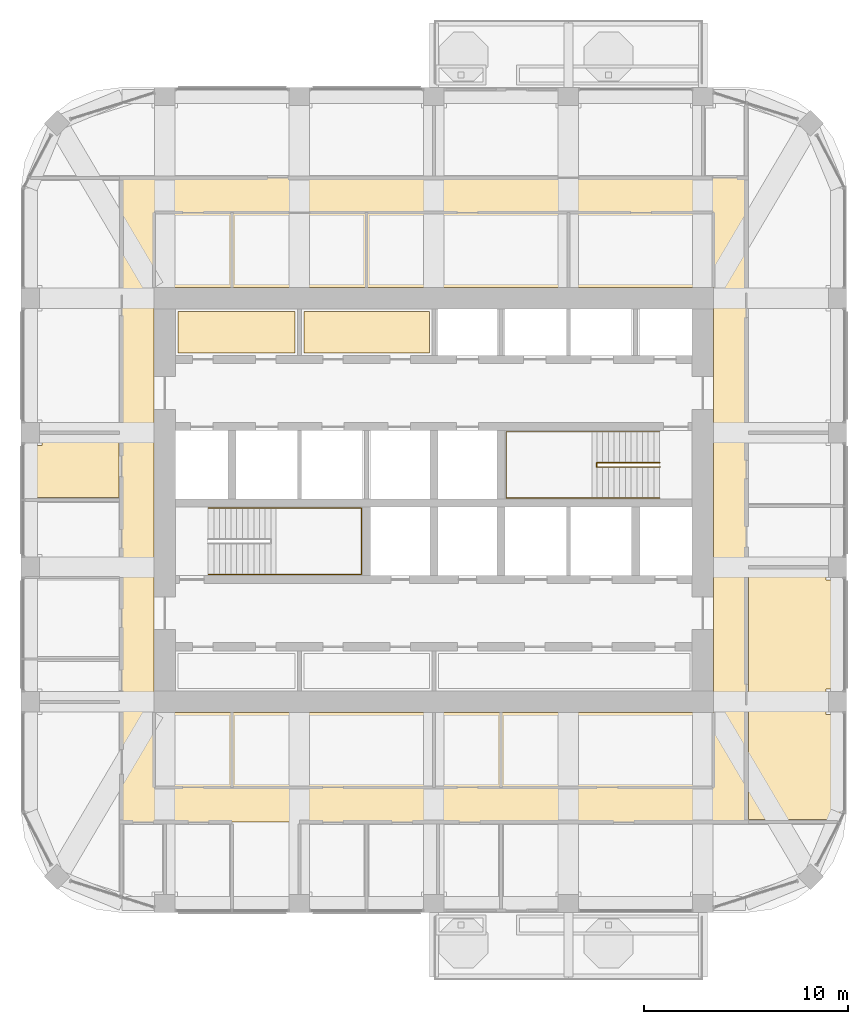
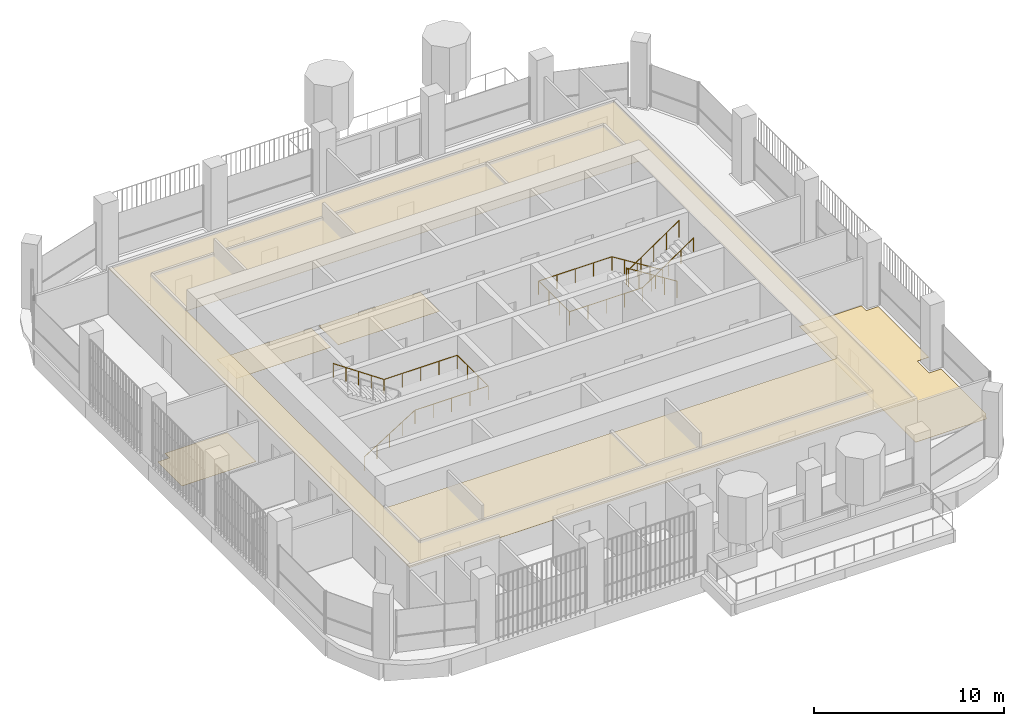
# One storey, part 19 of 21: 5 coverings, 3 railings.
"""IFC4 building model written with IfcOpenShell, lengths in metres."""

from ifc_helpers import new_model, si_unit, direction, frame, origin, place, context, subcontext, project, spatial, polyline, outline, extrude, material, layer, layer_set, type_object, element, save


model = new_model("IFC4")

# Units and contexts
model_context = context("Model", 3, precision=1e-05, world=origin(), true_north=direction((0.0, 1.0)))
body_context = subcontext(model_context, "Body", "Model", "MODEL_VIEW")
ifc_project = project(units=[si_unit("LENGTHUNIT", "METRE"), si_unit("AREAUNIT", "SQUARE_METRE"), si_unit("VOLUMEUNIT", "CUBIC_METRE"), si_unit("PLANEANGLEUNIT", "RADIAN"), si_unit("MASSUNIT", "GRAM", prefix="KILO")], contexts=[model_context])

# Site, building, storey
site_placement = place(None, origin())
site = spatial("IfcSite", under=ifc_project, at=site_placement, CompositionType="ELEMENT")
building_placement = place(site_placement, origin())
building = spatial("IfcBuilding", under=site, at=building_placement, Name="Cobogo Forest Laboratory Tower", CompositionType="ELEMENT")
storey_placement = place(building_placement, frame((0.0, 0.0, 258.60009765625)))
storey = spatial("IfcBuildingStorey", under=building, at=storey_placement, Name="L59", CompositionType="ELEMENT", Elevation=258.60009765625)

# Coverings
ifc_material_1 = material(Name="Mineral fibre ceiling tile", Category="ceiling")
ifc_layer_1 = layer(ifc_material_1, 0.02001953125)
ifc_layer_set_1 = layer_set([ifc_layer_1], Name="CL1 suspended ceiling")
covering_type_1 = type_object("IfcCoveringType", Name="CL1 suspended ceiling", PredefinedType="CEILING", material=ifc_layer_set_1)
covering_1_placement = place(storey_placement, frame((0.0, 0.0, 2.7998046875)))
element("IfcCovering", 1, at=covering_1_placement, inside=storey, type_object=covering_type_1, Name="Corridor ceiling L59", PredefinedType="CEILING", context=body_context, shape_type="SweptSolid", body=[
    extrude(outline(polyline([(11.074951171875, 7.300048828125), (11.074951171875, 38.89990234375), (41.72509765625, 38.89990234375), (41.72509765625, 7.300048828125), (11.074951171875, 7.300048828125)]), holes=[polyline([(40.125, 33.52490234375), (12.675048828125, 33.52490234375), (12.675048828125, 12.675048828125), (40.125, 12.675048828125), (40.125, 33.52490234375)])]), origin(), (0.0, 0.0, 1.0), 0.02001953125),
])
ifc_material_2 = material(Name="Carpet tile on raised access floor", Category="flooring")
ifc_layer_2 = layer(ifc_material_2, 0.008056640625)
ifc_layer_set_2 = layer_set([ifc_layer_2], Name="CT1 carpet tile floor 8")
covering_type_2 = type_object("IfcCoveringType", Name="CT1 carpet tile floor 8", PredefinedType="FLOORING", material=ifc_layer_set_2)
covering_2_placement = place(storey_placement, origin())
element("IfcCovering", 2, at=covering_2_placement, inside=storey, type_object=covering_type_2, Name="Carpet floor L59-15", PredefinedType="FLOORING", context=body_context, shape_type="SweptSolid", body=[
    extrude(outline(polyline([(41.844970703125, 19.679931640625), (45.6298828125, 19.679931640625), (45.6298828125, 19.179931640625), (46.35009765625, 19.179931640625), (46.35009765625, 13.820068359375), (45.6298828125, 13.820068359375), (45.6298828125, 12.580078125), (46.35009765625, 12.580078125), (46.35009765625, 7.84912109375), (46.125, 7.419921875), (41.844970703125, 7.419921875), (41.844970703125, 19.679931640625)])), origin(), (0.0, 0.0, 1.0), 0.0078125),
])
covering_3_placement = place(storey_placement, origin())
element("IfcCovering", 3, at=covering_3_placement, inside=storey, type_object=covering_type_2, Name="Carpet floor L59-26", PredefinedType="FLOORING", context=body_context, shape_type="SweptSolid", body=[
    extrude(outline(polyline([(10.955078125, 23.219970703125), (6.449951171875, 23.219970703125), (6.449951171875, 25.780029296875), (7.169921875, 25.780029296875), (7.169921875, 26.280029296875), (10.955078125, 26.280029296875), (10.955078125, 23.219970703125)])), origin(), (0.0, 0.0, 1.0), 0.0078125),
])
covering_4_placement = place(storey_placement, origin())
element("IfcCovering", 4, at=covering_4_placement, inside=storey, type_object=covering_type_2, Name="Carpet floor L59-39", PredefinedType="FLOORING", context=body_context, shape_type="SweptSolid", body=[
    extrude(outline(polyline([(26.179931640625, 30.320068359375), (20.02001953125, 30.320068359375), (20.02001953125, 32.35498046875), (26.179931640625, 32.35498046875), (26.179931640625, 30.320068359375)])), origin(), (0.0, 0.0, 1.0), 0.0078125),
])

# Railings
ifc_material_3 = material(Name="Steel balustrade", Category="steel")
railing_type_1 = type_object("IfcRailingType", Name="GR stair guard 1100", PredefinedType="GUARDRAIL", material=ifc_material_3)
railing_1_placement = place(storey_placement, frame((37.47509765625, 24.929931640625, 0.1748046875)))
element("IfcRailing", 5, at=railing_1_placement, inside=storey, type_object=railing_type_1, Name="Stair guard ST2 L59", PredefinedType="GUARDRAIL", context=body_context, shape_type="SweptSolid", body=[
    extrude(outline(polyline([(0.022216796875, 0.00927734375), (0.00927734375, 0.022216796875), (-0.00927734375, 0.022216796875), (-0.022216796875, 0.00927734375), (-0.022216796875, -0.00927734375), (-0.00927734375, -0.022216796875), (0.00927734375, -0.022216796875), (0.022216796875, -0.00927734375), (0.022216796875, 0.00927734375)])), frame((0.0, 0.0, 1.077880859375), z_axis=(-0.847998304005, 0.0, 0.529998940003), x_axis=(0.0, -1.0, 0.0)), (0.0, 0.0, 1.0), 3.632080078125),
    extrude(outline(polyline([(0.022216796875, 0.00927734375), (0.00927734375, 0.022216796875), (-0.00927734375, 0.022216796875), (-0.022216796875, 0.00927734375), (-0.022216796875, -0.00927734375), (-0.00927734375, -0.022216796875), (0.00927734375, -0.022216796875), (0.022216796875, -0.00927734375), (0.022216796875, 0.00927734375)])), frame((-3.080078125, 0.0, 3.0029296875), z_axis=(0.0, -1.0, 0.0), x_axis=(1.0, 0.0, 0.0)), (0.0, 0.0, 1.0), 0.2099609375),
    extrude(outline(polyline([(0.022216796875, 0.00927734375), (0.00927734375, 0.022216796875), (-0.00927734375, 0.022216796875), (-0.022216796875, 0.00927734375), (-0.022216796875, -0.00927734375), (-0.00927734375, -0.022216796875), (0.00927734375, -0.022216796875), (0.022216796875, -0.00927734375), (0.022216796875, 0.00927734375)])), frame((-3.080078125, -0.2099609375, 3.0029296875), z_axis=(0.826221800596, 0.0, 0.563344953133), x_axis=(0.0, 1.0, 0.0)), (0.0, 0.0, 1.0), 3.72802734375),
    extrude(outline(polyline([(0.019287109375, 0.008056640625), (0.008056640625, 0.019287109375), (-0.008056640625, 0.019287109375), (-0.019287109375, 0.008056640625), (-0.019287109375, -0.008056640625), (-0.008056640625, -0.019287109375), (0.008056640625, -0.019287109375), (0.019287109375, -0.008056640625), (0.019287109375, 0.008056640625)])), origin(), (0.0, 0.0, 1.0), 1.077880859375),
    extrude(outline(polyline([(0.019287109375, 0.008056640625), (0.008056640625, 0.019287109375), (-0.008056640625, 0.019287109375), (-0.019287109375, 0.008056640625), (-0.019287109375, -0.008056640625), (-0.008056640625, -0.019287109375), (0.008056640625, -0.019287109375), (0.019287109375, -0.008056640625), (0.019287109375, 0.008056640625)])), frame((-0.77001953125, 0.0, 0.481201171875)), (0.0, 0.0, 1.0), 1.077880859375),
    extrude(outline(polyline([(0.019287109375, 0.008056640625), (0.008056640625, 0.019287109375), (-0.008056640625, 0.019287109375), (-0.019287109375, 0.008056640625), (-0.019287109375, -0.008056640625), (-0.008056640625, -0.019287109375), (0.008056640625, -0.019287109375), (0.019287109375, -0.008056640625), (0.019287109375, 0.008056640625)])), frame((-1.5400390625, 0.0, 0.96240234375)), (0.0, 0.0, 1.0), 1.077880859375),
    extrude(outline(polyline([(0.019287109375, 0.008056640625), (0.008056640625, 0.019287109375), (-0.008056640625, 0.019287109375), (-0.019287109375, 0.008056640625), (-0.019287109375, -0.008056640625), (-0.008056640625, -0.019287109375), (0.008056640625, -0.019287109375), (0.019287109375, -0.008056640625), (0.019287109375, 0.008056640625)])), frame((-2.31005859375, 0.0, 1.44384765625)), (0.0, 0.0, 1.0), 1.077880859375),
    extrude(outline(polyline([(0.019287109375, 0.008056640625), (0.008056640625, 0.019287109375), (-0.008056640625, 0.019287109375), (-0.019287109375, 0.008056640625), (-0.019287109375, -0.008056640625), (-0.008056640625, -0.019287109375), (0.008056640625, -0.019287109375), (0.019287109375, -0.008056640625), (0.019287109375, 0.008056640625)])), frame((-3.080078125, 0.0, 1.925048828125)), (0.0, 0.0, 1.0), 1.077880859375),
    extrude(outline(polyline([(0.019287109375, 0.008056640625), (0.008056640625, 0.019287109375), (-0.008056640625, 0.019287109375), (-0.019287109375, 0.008056640625), (-0.019287109375, -0.008056640625), (-0.008056640625, -0.019287109375), (0.008056640625, -0.019287109375), (0.019287109375, -0.008056640625), (0.019287109375, 0.008056640625)])), frame((-3.080078125, -0.2099609375, 1.925048828125)), (0.0, 0.0, 1.0), 1.077880859375),
    extrude(outline(polyline([(0.019287109375, 0.008056640625), (0.008056640625, 0.019287109375), (-0.008056640625, 0.019287109375), (-0.019287109375, 0.008056640625), (-0.019287109375, -0.008056640625), (-0.008056640625, -0.019287109375), (0.008056640625, -0.019287109375), (0.019287109375, -0.008056640625), (0.019287109375, 0.008056640625)])), frame((-2.31005859375, -0.2099609375, 2.4501953125)), (0.0, 0.0, 1.0), 1.077880859375),
    extrude(outline(polyline([(0.019287109375, 0.008056640625), (0.008056640625, 0.019287109375), (-0.008056640625, 0.019287109375), (-0.019287109375, 0.008056640625), (-0.019287109375, -0.008056640625), (-0.008056640625, -0.019287109375), (0.008056640625, -0.019287109375), (0.019287109375, -0.008056640625), (0.019287109375, 0.008056640625)])), frame((-1.5400390625, -0.2099609375, 2.97509765625)), (0.0, 0.0, 1.0), 1.077880859375),
    extrude(outline(polyline([(0.019287109375, 0.008056640625), (0.008056640625, 0.019287109375), (-0.008056640625, 0.019287109375), (-0.019287109375, 0.008056640625), (-0.019287109375, -0.008056640625), (-0.008056640625, -0.019287109375), (0.008056640625, -0.019287109375), (0.019287109375, -0.008056640625), (0.019287109375, 0.008056640625)])), frame((-0.77001953125, -0.2099609375, 3.5)), (0.0, 0.0, 1.0), 1.077880859375),
    extrude(outline(polyline([(0.019287109375, 0.008056640625), (0.008056640625, 0.019287109375), (-0.008056640625, 0.019287109375), (-0.019287109375, 0.008056640625), (-0.019287109375, -0.008056640625), (-0.008056640625, -0.019287109375), (0.008056640625, -0.019287109375), (0.019287109375, -0.008056640625), (0.019287109375, 0.008056640625)])), frame((0.0, -0.2099609375, 4.025146484375)), (0.0, 0.0, 1.0), 1.077880859375),
])
ifc_material_4 = material(Name="Stainless steel handrail", Category="steel")
railing_type_2 = type_object("IfcRailingType", Name="HR handrail 900", PredefinedType="HANDRAIL", material=ifc_material_4)
railing_2_placement = place(storey_placement, frame((15.324951171875, 19.449951171875, 0.1748046875)))
element("IfcRailing", 6, at=railing_2_placement, inside=storey, type_object=railing_type_2, Name="Stair handrail ST1 L59", PredefinedType="HANDRAIL", context=body_context, shape_type="SweptSolid", body=[
    extrude(outline(polyline([(0.022216796875, 0.00927734375), (0.00927734375, 0.022216796875), (-0.00927734375, 0.022216796875), (-0.022216796875, 0.00927734375), (-0.022216796875, -0.00927734375), (-0.00927734375, -0.022216796875), (0.00927734375, -0.022216796875), (0.022216796875, -0.00927734375), (0.022216796875, 0.00927734375)])), frame((0.0, 0.0, 0.877685546875), z_axis=(0.847998304005, 0.0, 0.529998940003), x_axis=(0.0, 1.0, 0.0)), (0.0, 0.0, 1.0), 3.632080078125),
    extrude(outline(polyline([(0.022216796875, 0.00927734375), (0.00927734375, 0.022216796875), (-0.00927734375, 0.022216796875), (-0.022216796875, 0.00927734375), (-0.022216796875, -0.00927734375), (-0.00927734375, -0.022216796875), (0.00927734375, -0.022216796875), (0.022216796875, -0.00927734375), (0.022216796875, 0.00927734375)])), frame((3.080078125, 0.0, 2.802734375), z_axis=(1.0, 0.0, 0.0), x_axis=(0.0, 1.0, 0.0)), (0.0, 0.0, 1.0), 4.445068359375),
    extrude(outline(polyline([(0.022216796875, 0.00927734375), (0.00927734375, 0.022216796875), (-0.00927734375, 0.022216796875), (-0.022216796875, 0.00927734375), (-0.022216796875, -0.00927734375), (-0.00927734375, -0.022216796875), (0.00927734375, -0.022216796875), (0.022216796875, -0.00927734375), (0.022216796875, 0.00927734375)])), frame((7.525146484375, 0.0, 2.802734375), z_axis=(0.0, 1.0, 0.0), x_axis=(-1.0, 0.0, 0.0)), (0.0, 0.0, 1.0), 3.25),
    extrude(outline(polyline([(0.022216796875, 0.00927734375), (0.00927734375, 0.022216796875), (-0.00927734375, 0.022216796875), (-0.022216796875, 0.00927734375), (-0.022216796875, -0.00927734375), (-0.00927734375, -0.022216796875), (0.00927734375, -0.022216796875), (0.022216796875, -0.00927734375), (0.022216796875, 0.00927734375)])), frame((7.525146484375, 3.25, 2.802734375), z_axis=(-1.0, 0.0, 0.0), x_axis=(0.0, -1.0, 0.0)), (0.0, 0.0, 1.0), 4.445068359375),
    extrude(outline(polyline([(0.022216796875, 0.00927734375), (0.00927734375, 0.022216796875), (-0.00927734375, 0.022216796875), (-0.022216796875, 0.00927734375), (-0.022216796875, -0.00927734375), (-0.00927734375, -0.022216796875), (0.00927734375, -0.022216796875), (0.022216796875, -0.00927734375), (0.022216796875, 0.00927734375)])), frame((3.080078125, 3.25, 2.802734375), z_axis=(-0.826221800596, 0.0, 0.563344953133), x_axis=(0.0, -1.0, 0.0)), (0.0, 0.0, 1.0), 3.72802734375),
    extrude(outline(polyline([(0.019287109375, 0.008056640625), (0.008056640625, 0.019287109375), (-0.008056640625, 0.019287109375), (-0.019287109375, 0.008056640625), (-0.019287109375, -0.008056640625), (-0.008056640625, -0.019287109375), (0.008056640625, -0.019287109375), (0.019287109375, -0.008056640625), (0.019287109375, 0.008056640625)])), origin(), (0.0, 0.0, 1.0), 0.877685546875),
    extrude(outline(polyline([(0.019287109375, 0.008056640625), (0.008056640625, 0.019287109375), (-0.008056640625, 0.019287109375), (-0.019287109375, 0.008056640625), (-0.019287109375, -0.008056640625), (-0.008056640625, -0.019287109375), (0.008056640625, -0.019287109375), (0.019287109375, -0.008056640625), (0.019287109375, 0.008056640625)])), frame((0.77001953125, 0.0, 0.481201171875)), (0.0, 0.0, 1.0), 0.877685546875),
    extrude(outline(polyline([(0.019287109375, 0.008056640625), (0.008056640625, 0.019287109375), (-0.008056640625, 0.019287109375), (-0.019287109375, 0.008056640625), (-0.019287109375, -0.008056640625), (-0.008056640625, -0.019287109375), (0.008056640625, -0.019287109375), (0.019287109375, -0.008056640625), (0.019287109375, 0.008056640625)])), frame((1.5400390625, 0.0, 0.96240234375)), (0.0, 0.0, 1.0), 0.877685546875),
    extrude(outline(polyline([(0.019287109375, 0.008056640625), (0.008056640625, 0.019287109375), (-0.008056640625, 0.019287109375), (-0.019287109375, 0.008056640625), (-0.019287109375, -0.008056640625), (-0.008056640625, -0.019287109375), (0.008056640625, -0.019287109375), (0.019287109375, -0.008056640625), (0.019287109375, 0.008056640625)])), frame((2.31005859375, 0.0, 1.44384765625)), (0.0, 0.0, 1.0), 0.877685546875),
    extrude(outline(polyline([(0.019287109375, 0.008056640625), (0.008056640625, 0.019287109375), (-0.008056640625, 0.019287109375), (-0.019287109375, 0.008056640625), (-0.019287109375, -0.008056640625), (-0.008056640625, -0.019287109375), (0.008056640625, -0.019287109375), (0.019287109375, -0.008056640625), (0.019287109375, 0.008056640625)])), frame((3.080078125, 0.0, 1.925048828125)), (0.0, 0.0, 1.0), 0.877685546875),
    extrude(outline(polyline([(0.019287109375, 0.008056640625), (0.008056640625, 0.019287109375), (-0.008056640625, 0.019287109375), (-0.019287109375, 0.008056640625), (-0.019287109375, -0.008056640625), (-0.008056640625, -0.019287109375), (0.008056640625, -0.019287109375), (0.019287109375, -0.008056640625), (0.019287109375, 0.008056640625)])), frame((4.19140625, 0.0, 1.925048828125)), (0.0, 0.0, 1.0), 0.877685546875),
    extrude(outline(polyline([(0.019287109375, 0.008056640625), (0.008056640625, 0.019287109375), (-0.008056640625, 0.019287109375), (-0.019287109375, 0.008056640625), (-0.019287109375, -0.008056640625), (-0.008056640625, -0.019287109375), (0.008056640625, -0.019287109375), (0.019287109375, -0.008056640625), (0.019287109375, 0.008056640625)])), frame((5.302734375, 0.0, 1.925048828125)), (0.0, 0.0, 1.0), 0.877685546875),
    extrude(outline(polyline([(0.019287109375, 0.008056640625), (0.008056640625, 0.019287109375), (-0.008056640625, 0.019287109375), (-0.019287109375, 0.008056640625), (-0.019287109375, -0.008056640625), (-0.008056640625, -0.019287109375), (0.008056640625, -0.019287109375), (0.019287109375, -0.008056640625), (0.019287109375, 0.008056640625)])), frame((6.413818359375, 0.0, 1.925048828125)), (0.0, 0.0, 1.0), 0.877685546875),
    extrude(outline(polyline([(0.019287109375, 0.008056640625), (0.008056640625, 0.019287109375), (-0.008056640625, 0.019287109375), (-0.019287109375, 0.008056640625), (-0.019287109375, -0.008056640625), (-0.008056640625, -0.019287109375), (0.008056640625, -0.019287109375), (0.019287109375, -0.008056640625), (0.019287109375, 0.008056640625)])), frame((7.525146484375, 0.0, 1.925048828125)), (0.0, 0.0, 1.0), 0.877685546875),
    extrude(outline(polyline([(0.019287109375, 0.008056640625), (0.008056640625, 0.019287109375), (-0.008056640625, 0.019287109375), (-0.019287109375, 0.008056640625), (-0.019287109375, -0.008056640625), (-0.008056640625, -0.019287109375), (0.008056640625, -0.019287109375), (0.019287109375, -0.008056640625), (0.019287109375, 0.008056640625)])), frame((7.525146484375, 1.083251953125, 1.925048828125)), (0.0, 0.0, 1.0), 0.877685546875),
    extrude(outline(polyline([(0.019287109375, 0.008056640625), (0.008056640625, 0.019287109375), (-0.008056640625, 0.019287109375), (-0.019287109375, 0.008056640625), (-0.019287109375, -0.008056640625), (-0.008056640625, -0.019287109375), (0.008056640625, -0.019287109375), (0.019287109375, -0.008056640625), (0.019287109375, 0.008056640625)])), frame((7.525146484375, 2.166748046875, 1.925048828125)), (0.0, 0.0, 1.0), 0.877685546875),
    extrude(outline(polyline([(0.019287109375, 0.008056640625), (0.008056640625, 0.019287109375), (-0.008056640625, 0.019287109375), (-0.019287109375, 0.008056640625), (-0.019287109375, -0.008056640625), (-0.008056640625, -0.019287109375), (0.008056640625, -0.019287109375), (0.019287109375, -0.008056640625), (0.019287109375, 0.008056640625)])), frame((7.525146484375, 3.25, 1.925048828125)), (0.0, 0.0, 1.0), 0.877685546875),
    extrude(outline(polyline([(0.019287109375, 0.008056640625), (0.008056640625, 0.019287109375), (-0.008056640625, 0.019287109375), (-0.019287109375, 0.008056640625), (-0.019287109375, -0.008056640625), (-0.008056640625, -0.019287109375), (0.008056640625, -0.019287109375), (0.019287109375, -0.008056640625), (0.019287109375, 0.008056640625)])), frame((6.413818359375, 3.25, 1.925048828125)), (0.0, 0.0, 1.0), 0.877685546875),
    extrude(outline(polyline([(0.019287109375, 0.008056640625), (0.008056640625, 0.019287109375), (-0.008056640625, 0.019287109375), (-0.019287109375, 0.008056640625), (-0.019287109375, -0.008056640625), (-0.008056640625, -0.019287109375), (0.008056640625, -0.019287109375), (0.019287109375, -0.008056640625), (0.019287109375, 0.008056640625)])), frame((5.302734375, 3.25, 1.925048828125)), (0.0, 0.0, 1.0), 0.877685546875),
    extrude(outline(polyline([(0.019287109375, 0.008056640625), (0.008056640625, 0.019287109375), (-0.008056640625, 0.019287109375), (-0.019287109375, 0.008056640625), (-0.019287109375, -0.008056640625), (-0.008056640625, -0.019287109375), (0.008056640625, -0.019287109375), (0.019287109375, -0.008056640625), (0.019287109375, 0.008056640625)])), frame((4.19140625, 3.25, 1.925048828125)), (0.0, 0.0, 1.0), 0.877685546875),
    extrude(outline(polyline([(0.019287109375, 0.008056640625), (0.008056640625, 0.019287109375), (-0.008056640625, 0.019287109375), (-0.019287109375, 0.008056640625), (-0.019287109375, -0.008056640625), (-0.008056640625, -0.019287109375), (0.008056640625, -0.019287109375), (0.019287109375, -0.008056640625), (0.019287109375, 0.008056640625)])), frame((3.080078125, 3.25, 1.925048828125)), (0.0, 0.0, 1.0), 0.877685546875),
    extrude(outline(polyline([(0.019287109375, 0.008056640625), (0.008056640625, 0.019287109375), (-0.008056640625, 0.019287109375), (-0.019287109375, 0.008056640625), (-0.019287109375, -0.008056640625), (-0.008056640625, -0.019287109375), (0.008056640625, -0.019287109375), (0.019287109375, -0.008056640625), (0.019287109375, 0.008056640625)])), frame((2.31005859375, 3.25, 2.4501953125)), (0.0, 0.0, 1.0), 0.877685546875),
    extrude(outline(polyline([(0.019287109375, 0.008056640625), (0.008056640625, 0.019287109375), (-0.008056640625, 0.019287109375), (-0.019287109375, 0.008056640625), (-0.019287109375, -0.008056640625), (-0.008056640625, -0.019287109375), (0.008056640625, -0.019287109375), (0.019287109375, -0.008056640625), (0.019287109375, 0.008056640625)])), frame((1.5400390625, 3.25, 2.97509765625)), (0.0, 0.0, 1.0), 0.877685546875),
    extrude(outline(polyline([(0.019287109375, 0.008056640625), (0.008056640625, 0.019287109375), (-0.008056640625, 0.019287109375), (-0.019287109375, 0.008056640625), (-0.019287109375, -0.008056640625), (-0.008056640625, -0.019287109375), (0.008056640625, -0.019287109375), (0.019287109375, -0.008056640625), (0.019287109375, 0.008056640625)])), frame((0.77001953125, 3.25, 3.5)), (0.0, 0.0, 1.0), 0.877685546875),
    extrude(outline(polyline([(0.019287109375, 0.008056640625), (0.008056640625, 0.019287109375), (-0.008056640625, 0.019287109375), (-0.019287109375, 0.008056640625), (-0.019287109375, -0.008056640625), (-0.008056640625, -0.019287109375), (0.008056640625, -0.019287109375), (0.019287109375, -0.008056640625), (0.019287109375, 0.008056640625)])), frame((0.0, 3.25, 4.025146484375)), (0.0, 0.0, 1.0), 0.877685546875),
])
railing_3_placement = place(storey_placement, frame((37.47509765625, 26.449951171875, 0.1748046875)))
element("IfcRailing", 7, at=railing_3_placement, inside=storey, type_object=railing_type_2, Name="Stair handrail ST2 L59", PredefinedType="HANDRAIL", context=body_context, shape_type="SweptSolid", body=[
    extrude(outline(polyline([(0.022216796875, 0.00927734375), (0.00927734375, 0.022216796875), (-0.00927734375, 0.022216796875), (-0.022216796875, 0.00927734375), (-0.022216796875, -0.00927734375), (-0.00927734375, -0.022216796875), (0.00927734375, -0.022216796875), (0.022216796875, -0.00927734375), (0.022216796875, 0.00927734375)])), frame((0.0, 0.0, 0.877685546875), z_axis=(-0.847998304005, 0.0, 0.529998940003), x_axis=(0.0, -1.0, 0.0)), (0.0, 0.0, 1.0), 3.632080078125),
    extrude(outline(polyline([(0.022216796875, 0.00927734375), (0.00927734375, 0.022216796875), (-0.00927734375, 0.022216796875), (-0.022216796875, 0.00927734375), (-0.022216796875, -0.00927734375), (-0.00927734375, -0.022216796875), (0.00927734375, -0.022216796875), (0.022216796875, -0.00927734375), (0.022216796875, 0.00927734375)])), frame((-3.080078125, 0.0, 2.802734375), z_axis=(-1.0, 0.0, 0.0), x_axis=(0.0, -1.0, 0.0)), (0.0, 0.0, 1.0), 4.445068359375),
    extrude(outline(polyline([(0.022216796875, 0.00927734375), (0.00927734375, 0.022216796875), (-0.00927734375, 0.022216796875), (-0.022216796875, 0.00927734375), (-0.022216796875, -0.00927734375), (-0.00927734375, -0.022216796875), (0.00927734375, -0.022216796875), (0.022216796875, -0.00927734375), (0.022216796875, 0.00927734375)])), frame((-7.525146484375, 0.0, 2.802734375), z_axis=(0.0, -1.0, 0.0), x_axis=(1.0, 0.0, 0.0)), (0.0, 0.0, 1.0), 3.25),
    extrude(outline(polyline([(0.022216796875, 0.00927734375), (0.00927734375, 0.022216796875), (-0.00927734375, 0.022216796875), (-0.022216796875, 0.00927734375), (-0.022216796875, -0.00927734375), (-0.00927734375, -0.022216796875), (0.00927734375, -0.022216796875), (0.022216796875, -0.00927734375), (0.022216796875, 0.00927734375)])), frame((-7.525146484375, -3.25, 2.802734375), z_axis=(1.0, 0.0, 0.0), x_axis=(0.0, 1.0, 0.0)), (0.0, 0.0, 1.0), 4.445068359375),
    extrude(outline(polyline([(0.022216796875, 0.00927734375), (0.00927734375, 0.022216796875), (-0.00927734375, 0.022216796875), (-0.022216796875, 0.00927734375), (-0.022216796875, -0.00927734375), (-0.00927734375, -0.022216796875), (0.00927734375, -0.022216796875), (0.022216796875, -0.00927734375), (0.022216796875, 0.00927734375)])), frame((-3.080078125, -3.25, 2.802734375), z_axis=(0.826221800596, 0.0, 0.563344953133), x_axis=(0.0, 1.0, 0.0)), (0.0, 0.0, 1.0), 3.72802734375),
    extrude(outline(polyline([(0.019287109375, 0.008056640625), (0.008056640625, 0.019287109375), (-0.008056640625, 0.019287109375), (-0.019287109375, 0.008056640625), (-0.019287109375, -0.008056640625), (-0.008056640625, -0.019287109375), (0.008056640625, -0.019287109375), (0.019287109375, -0.008056640625), (0.019287109375, 0.008056640625)])), origin(), (0.0, 0.0, 1.0), 0.877685546875),
    extrude(outline(polyline([(0.019287109375, 0.008056640625), (0.008056640625, 0.019287109375), (-0.008056640625, 0.019287109375), (-0.019287109375, 0.008056640625), (-0.019287109375, -0.008056640625), (-0.008056640625, -0.019287109375), (0.008056640625, -0.019287109375), (0.019287109375, -0.008056640625), (0.019287109375, 0.008056640625)])), frame((-0.77001953125, 0.0, 0.481201171875)), (0.0, 0.0, 1.0), 0.877685546875),
    extrude(outline(polyline([(0.019287109375, 0.008056640625), (0.008056640625, 0.019287109375), (-0.008056640625, 0.019287109375), (-0.019287109375, 0.008056640625), (-0.019287109375, -0.008056640625), (-0.008056640625, -0.019287109375), (0.008056640625, -0.019287109375), (0.019287109375, -0.008056640625), (0.019287109375, 0.008056640625)])), frame((-1.5400390625, 0.0, 0.96240234375)), (0.0, 0.0, 1.0), 0.877685546875),
    extrude(outline(polyline([(0.019287109375, 0.008056640625), (0.008056640625, 0.019287109375), (-0.008056640625, 0.019287109375), (-0.019287109375, 0.008056640625), (-0.019287109375, -0.008056640625), (-0.008056640625, -0.019287109375), (0.008056640625, -0.019287109375), (0.019287109375, -0.008056640625), (0.019287109375, 0.008056640625)])), frame((-2.31005859375, 0.0, 1.44384765625)), (0.0, 0.0, 1.0), 0.877685546875),
    extrude(outline(polyline([(0.019287109375, 0.008056640625), (0.008056640625, 0.019287109375), (-0.008056640625, 0.019287109375), (-0.019287109375, 0.008056640625), (-0.019287109375, -0.008056640625), (-0.008056640625, -0.019287109375), (0.008056640625, -0.019287109375), (0.019287109375, -0.008056640625), (0.019287109375, 0.008056640625)])), frame((-3.080078125, 0.0, 1.925048828125)), (0.0, 0.0, 1.0), 0.877685546875),
    extrude(outline(polyline([(0.019287109375, 0.008056640625), (0.008056640625, 0.019287109375), (-0.008056640625, 0.019287109375), (-0.019287109375, 0.008056640625), (-0.019287109375, -0.008056640625), (-0.008056640625, -0.019287109375), (0.008056640625, -0.019287109375), (0.019287109375, -0.008056640625), (0.019287109375, 0.008056640625)])), frame((-4.19140625, 0.0, 1.925048828125)), (0.0, 0.0, 1.0), 0.877685546875),
    extrude(outline(polyline([(0.019287109375, 0.008056640625), (0.008056640625, 0.019287109375), (-0.008056640625, 0.019287109375), (-0.019287109375, 0.008056640625), (-0.019287109375, -0.008056640625), (-0.008056640625, -0.019287109375), (0.008056640625, -0.019287109375), (0.019287109375, -0.008056640625), (0.019287109375, 0.008056640625)])), frame((-5.302734375, 0.0, 1.925048828125)), (0.0, 0.0, 1.0), 0.877685546875),
    extrude(outline(polyline([(0.019287109375, 0.008056640625), (0.008056640625, 0.019287109375), (-0.008056640625, 0.019287109375), (-0.019287109375, 0.008056640625), (-0.019287109375, -0.008056640625), (-0.008056640625, -0.019287109375), (0.008056640625, -0.019287109375), (0.019287109375, -0.008056640625), (0.019287109375, 0.008056640625)])), frame((-6.413818359375, 0.0, 1.925048828125)), (0.0, 0.0, 1.0), 0.877685546875),
    extrude(outline(polyline([(0.019287109375, 0.008056640625), (0.008056640625, 0.019287109375), (-0.008056640625, 0.019287109375), (-0.019287109375, 0.008056640625), (-0.019287109375, -0.008056640625), (-0.008056640625, -0.019287109375), (0.008056640625, -0.019287109375), (0.019287109375, -0.008056640625), (0.019287109375, 0.008056640625)])), frame((-7.525146484375, 0.0, 1.925048828125)), (0.0, 0.0, 1.0), 0.877685546875),
    extrude(outline(polyline([(0.019287109375, 0.008056640625), (0.008056640625, 0.019287109375), (-0.008056640625, 0.019287109375), (-0.019287109375, 0.008056640625), (-0.019287109375, -0.008056640625), (-0.008056640625, -0.019287109375), (0.008056640625, -0.019287109375), (0.019287109375, -0.008056640625), (0.019287109375, 0.008056640625)])), frame((-7.525146484375, -1.083251953125, 1.925048828125)), (0.0, 0.0, 1.0), 0.877685546875),
    extrude(outline(polyline([(0.019287109375, 0.008056640625), (0.008056640625, 0.019287109375), (-0.008056640625, 0.019287109375), (-0.019287109375, 0.008056640625), (-0.019287109375, -0.008056640625), (-0.008056640625, -0.019287109375), (0.008056640625, -0.019287109375), (0.019287109375, -0.008056640625), (0.019287109375, 0.008056640625)])), frame((-7.525146484375, -2.166748046875, 1.925048828125)), (0.0, 0.0, 1.0), 0.877685546875),
    extrude(outline(polyline([(0.019287109375, 0.008056640625), (0.008056640625, 0.019287109375), (-0.008056640625, 0.019287109375), (-0.019287109375, 0.008056640625), (-0.019287109375, -0.008056640625), (-0.008056640625, -0.019287109375), (0.008056640625, -0.019287109375), (0.019287109375, -0.008056640625), (0.019287109375, 0.008056640625)])), frame((-7.525146484375, -3.25, 1.925048828125)), (0.0, 0.0, 1.0), 0.877685546875),
    extrude(outline(polyline([(0.019287109375, 0.008056640625), (0.008056640625, 0.019287109375), (-0.008056640625, 0.019287109375), (-0.019287109375, 0.008056640625), (-0.019287109375, -0.008056640625), (-0.008056640625, -0.019287109375), (0.008056640625, -0.019287109375), (0.019287109375, -0.008056640625), (0.019287109375, 0.008056640625)])), frame((-6.413818359375, -3.25, 1.925048828125)), (0.0, 0.0, 1.0), 0.877685546875),
    extrude(outline(polyline([(0.019287109375, 0.008056640625), (0.008056640625, 0.019287109375), (-0.008056640625, 0.019287109375), (-0.019287109375, 0.008056640625), (-0.019287109375, -0.008056640625), (-0.008056640625, -0.019287109375), (0.008056640625, -0.019287109375), (0.019287109375, -0.008056640625), (0.019287109375, 0.008056640625)])), frame((-5.302734375, -3.25, 1.925048828125)), (0.0, 0.0, 1.0), 0.877685546875),
    extrude(outline(polyline([(0.019287109375, 0.008056640625), (0.008056640625, 0.019287109375), (-0.008056640625, 0.019287109375), (-0.019287109375, 0.008056640625), (-0.019287109375, -0.008056640625), (-0.008056640625, -0.019287109375), (0.008056640625, -0.019287109375), (0.019287109375, -0.008056640625), (0.019287109375, 0.008056640625)])), frame((-4.19140625, -3.25, 1.925048828125)), (0.0, 0.0, 1.0), 0.877685546875),
    extrude(outline(polyline([(0.019287109375, 0.008056640625), (0.008056640625, 0.019287109375), (-0.008056640625, 0.019287109375), (-0.019287109375, 0.008056640625), (-0.019287109375, -0.008056640625), (-0.008056640625, -0.019287109375), (0.008056640625, -0.019287109375), (0.019287109375, -0.008056640625), (0.019287109375, 0.008056640625)])), frame((-3.080078125, -3.25, 1.925048828125)), (0.0, 0.0, 1.0), 0.877685546875),
    extrude(outline(polyline([(0.019287109375, 0.008056640625), (0.008056640625, 0.019287109375), (-0.008056640625, 0.019287109375), (-0.019287109375, 0.008056640625), (-0.019287109375, -0.008056640625), (-0.008056640625, -0.019287109375), (0.008056640625, -0.019287109375), (0.019287109375, -0.008056640625), (0.019287109375, 0.008056640625)])), frame((-2.31005859375, -3.25, 2.4501953125)), (0.0, 0.0, 1.0), 0.877685546875),
    extrude(outline(polyline([(0.019287109375, 0.008056640625), (0.008056640625, 0.019287109375), (-0.008056640625, 0.019287109375), (-0.019287109375, 0.008056640625), (-0.019287109375, -0.008056640625), (-0.008056640625, -0.019287109375), (0.008056640625, -0.019287109375), (0.019287109375, -0.008056640625), (0.019287109375, 0.008056640625)])), frame((-1.5400390625, -3.25, 2.97509765625)), (0.0, 0.0, 1.0), 0.877685546875),
    extrude(outline(polyline([(0.019287109375, 0.008056640625), (0.008056640625, 0.019287109375), (-0.008056640625, 0.019287109375), (-0.019287109375, 0.008056640625), (-0.019287109375, -0.008056640625), (-0.008056640625, -0.019287109375), (0.008056640625, -0.019287109375), (0.019287109375, -0.008056640625), (0.019287109375, 0.008056640625)])), frame((-0.77001953125, -3.25, 3.5)), (0.0, 0.0, 1.0), 0.877685546875),
    extrude(outline(polyline([(0.019287109375, 0.008056640625), (0.008056640625, 0.019287109375), (-0.008056640625, 0.019287109375), (-0.019287109375, 0.008056640625), (-0.019287109375, -0.008056640625), (-0.008056640625, -0.019287109375), (0.008056640625, -0.019287109375), (0.019287109375, -0.008056640625), (0.019287109375, 0.008056640625)])), frame((0.0, -3.25, 4.025146484375)), (0.0, 0.0, 1.0), 0.877685546875),
])

# Covering
ifc_material_5 = material(Name="Ceramic floor tile", Category="flooring")
ifc_layer_3 = layer(ifc_material_5, 0.010009765625)
ifc_layer_set_3 = layer_set([ifc_layer_3], Name="TF1 ceramic tile floor 10")
covering_type_3 = type_object("IfcCoveringType", Name="TF1 ceramic tile floor 10", PredefinedType="FLOORING", material=ifc_layer_set_3)
covering_5_placement = place(storey_placement, origin())
element("IfcCovering", 8, at=covering_5_placement, inside=storey, type_object=covering_type_3, Name="Tile floor L59-38", PredefinedType="FLOORING", context=body_context, shape_type="SweptSolid", body=[
    extrude(outline(polyline([(19.580078125, 30.320068359375), (13.844970703125, 30.320068359375), (13.844970703125, 32.35498046875), (19.580078125, 32.35498046875), (19.580078125, 30.320068359375)])), origin(), (0.0, 0.0, 1.0), 0.010009765625),
])

save(model, "model.ifc")
